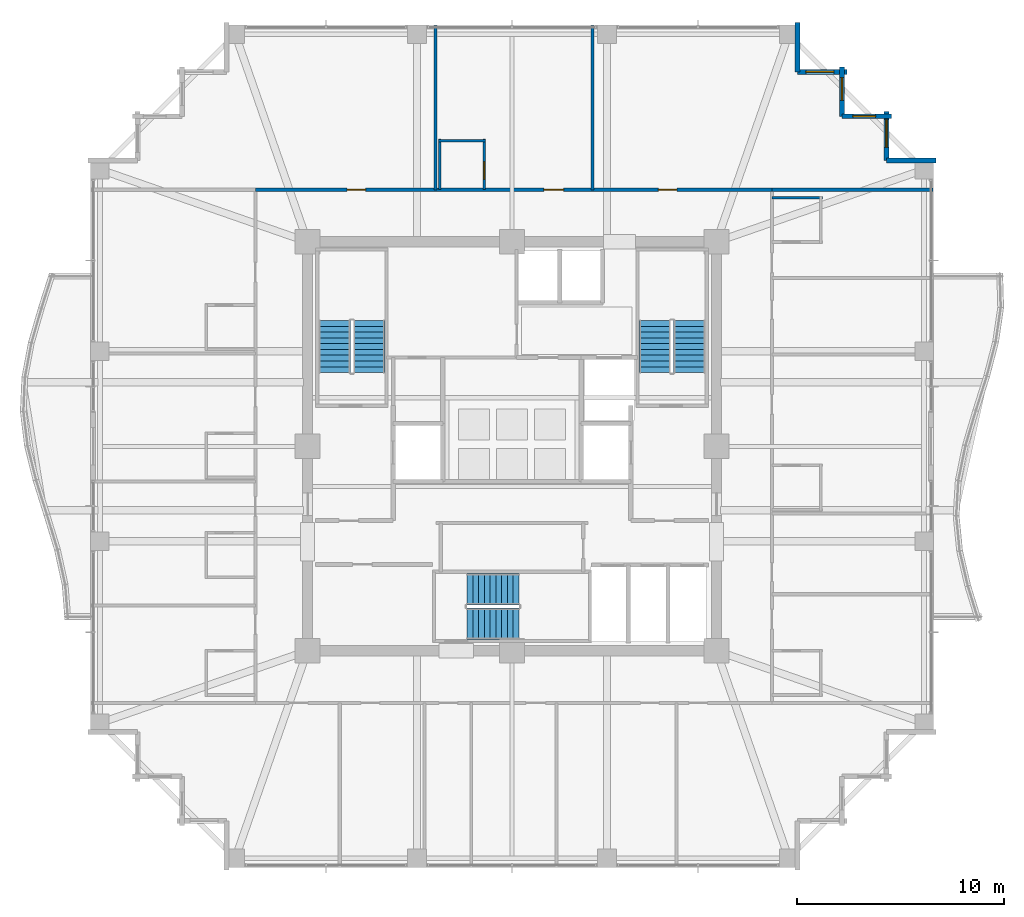
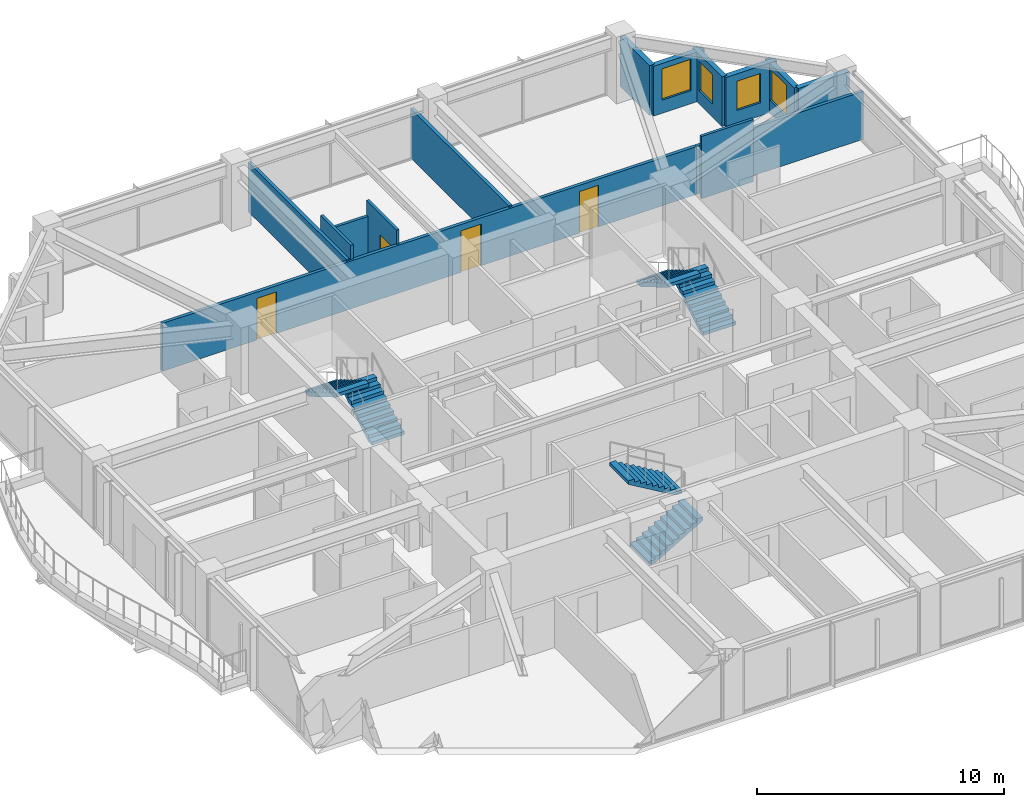
# One storey, part 32 of 34: 14 walls, 6 stair flights, 4 doors, 4 windows, 8 openings, 3 elements without a shape of their own.
"""IFC4 building model written with IfcOpenShell, lengths in metres."""

from ifc_helpers import new_model, si_unit, direction, frame, frame_2d, origin, place, context, subcontext, project, spatial, polyline, rectangle, outline, extrude, material, layer, layer_set, type_object, element, fill, aggregate, save


model = new_model("IFC4")

# Units and contexts
model_context = context("Model", 3, precision=1e-05, world=origin(), true_north=direction((0.0, 1.0)))
body_context = subcontext(model_context, "Body", "Model", "MODEL_VIEW")
ifc_project = project(units=[si_unit("LENGTHUNIT", "METRE"), si_unit("AREAUNIT", "SQUARE_METRE"), si_unit("VOLUMEUNIT", "CUBIC_METRE"), si_unit("PLANEANGLEUNIT", "RADIAN"), si_unit("MASSUNIT", "GRAM", prefix="KILO")], contexts=[model_context])

# Site, building, storey
site_placement = place(None, origin())
site = spatial("IfcSite", under=ifc_project, at=site_placement, CompositionType="ELEMENT")
building_placement = place(site_placement, origin())
building = spatial("IfcBuilding", under=site, at=building_placement, Name="Kolvaren Belvedere", CompositionType="ELEMENT")
storey_placement = place(building_placement, frame((0.0, 0.0, 189.89990234375)))
storey = spatial("IfcBuildingStorey", under=building, at=storey_placement, Name="L55", CompositionType="ELEMENT", Elevation=189.89990234375)

# Wall, openings, doors
ifc_material_1 = material(Name="Gypsum fire-rated partition assembly", Category="gypsum")
ifc_layer_1 = layer(ifc_material_1, 0.14990234375)
ifc_layer_set_1 = layer_set([ifc_layer_1], Name="Gypsum fire-rated partition assembly")
wall_type_1 = type_object("IfcWallType", Name="WL-CORR-150", PredefinedType="PARTITIONING", material=ifc_layer_set_1)
wall_1_placement = place(storey_placement, frame((-12.419921875, 12.419921875, 0.0), z_axis=(0.0, 0.0, 1.0), x_axis=(1.0, 0.0, 0.0)))
wall_1 = element("IfcWall", 1, at=wall_1_placement, inside=storey, type_object=wall_type_1, Name="L55 North Corridor Wall", PredefinedType="PARTITIONING", context=body_context, shape_type="SweptSolid", body=[
    extrude(rectangle(XDim=25.0, YDim=0.14990234375, at=frame_2d((12.5, 0.0))), origin(), (0.0, 0.0, 1.0), 2.369140625),
])
opening_1_placement = place(wall_1_placement, frame((4.43505859375, 0.0, 0.0)))
opening_1 = element("IfcOpeningElement", 2, at=opening_1_placement, cuts=wall_1, Name="Opening D-INT90", PredefinedType="OPENING", context=body_context, shape_type="SweptSolid", body=[
    extrude(rectangle(XDim=0.89990234375, YDim=2.06005859375, at=frame_2d((0.449951171875, 1.030029296875))), frame((0.0, 0.0849609375, 0.0), z_axis=(0.0, -1.0, 0.0), x_axis=(1.0, 0.0, 0.0)), (0.0, 0.0, 1.0), 0.169921875),
])
opening_2_placement = place(wall_1_placement, frame((13.968017578125, 0.0, 0.0)))
opening_2 = element("IfcOpeningElement", 3, at=opening_2_placement, cuts=wall_1, Name="Opening D-FD60", PredefinedType="OPENING", context=body_context, shape_type="SweptSolid", body=[
    extrude(rectangle(XDim=0.949951171875, YDim=2.06005859375, at=frame_2d((0.47509765625, 1.030029296875))), frame((0.0, 0.0849609375, 0.0), z_axis=(0.0, -1.0, 0.0), x_axis=(1.0, 0.0, 0.0)), (0.0, 0.0, 1.0), 0.169921875),
])
opening_3_placement = place(wall_1_placement, frame((19.5048828125, 0.0, 0.0)))
opening_3 = element("IfcOpeningElement", 4, at=opening_3_placement, cuts=wall_1, Name="Opening D-INT90", PredefinedType="OPENING", context=body_context, shape_type="SweptSolid", body=[
    extrude(rectangle(XDim=0.89990234375, YDim=2.06005859375, at=frame_2d((0.449951171875, 1.030029296875))), frame((0.0, 0.0849609375, 0.0), z_axis=(0.0, -1.0, 0.0), x_axis=(1.0, 0.0, 0.0)), (0.0, 0.0, 1.0), 0.169921875),
])
ifc_material_2 = material(Name="Acoustic white-oak fire door leaf", Category="timber")
door_type_1 = type_object("IfcDoorType", Name="DR-FD60-950", OperationType="NOTDEFINED", PredefinedType="DOOR", material=ifc_material_2)
door_1_placement = place(opening_2_placement, origin())
door_1 = element("IfcDoor", 5, at=door_1_placement, inside=storey, type_object=door_type_1, Name="L55 Twin Guest Room 5515 Entry Door", OperationType="SINGLE_SWING_LEFT", OverallHeight=2.06005859375, OverallWidth=0.949951171875, PredefinedType="DOOR", context=body_context, shape_type="SweptSolid", body=[
    extrude(rectangle(XDim=0.949951171875, YDim=2.06005859375, at=frame_2d((0.47509765625, 1.030029296875))), frame((0.0, 0.02490234375, 0.0), z_axis=(0.0, -1.0, 0.0), x_axis=(1.0, 0.0, 0.0)), (0.0, 0.0, 1.0), 0.050048828125),
])
fill(opening_2, door_1)
ifc_material_3 = material(Name="Stained Pacific white oak", Category="timber")
door_type_2 = type_object("IfcDoorType", Name="DR-INT-900", OperationType="NOTDEFINED", PredefinedType="DOOR", material=ifc_material_3)
door_2_placement = place(opening_1_placement, origin())
door_2 = element("IfcDoor", 6, at=door_2_placement, inside=storey, type_object=door_type_2, Name="L55 Lounge 5514 Door", OperationType="SINGLE_SWING_LEFT", OverallHeight=2.06005859375, OverallWidth=0.89990234375, PredefinedType="DOOR", context=body_context, shape_type="SweptSolid", body=[
    extrude(rectangle(XDim=0.89990234375, YDim=2.06005859375, at=frame_2d((0.449951171875, 1.030029296875))), frame((0.0, 0.02490234375, 0.0), z_axis=(0.0, -1.0, 0.0), x_axis=(1.0, 0.0, 0.0)), (0.0, 0.0, 1.0), 0.050048828125),
])
fill(opening_1, door_2)
door_3_placement = place(opening_3_placement, origin())
door_3 = element("IfcDoor", 7, at=door_3_placement, inside=storey, type_object=door_type_2, Name="L55 Lounge 5516 Door", OperationType="SINGLE_SWING_RIGHT", OverallHeight=2.06005859375, OverallWidth=0.89990234375, PredefinedType="DOOR", context=body_context, shape_type="SweptSolid", body=[
    extrude(rectangle(XDim=0.89990234375, YDim=2.06005859375, at=frame_2d((0.449951171875, 1.030029296875))), frame((0.0, 0.02490234375, 0.0), z_axis=(0.0, -1.0, 0.0), x_axis=(1.0, 0.0, 0.0)), (0.0, 0.0, 1.0), 0.050048828125),
])
fill(opening_3, door_3)

# Wall
ifc_material_4 = material(Name="Insulated pale-metal facade wall assembly", Category="aluminium")
ifc_layer_2 = layer(ifc_material_4, 0.239990234375)
ifc_layer_set_2 = layer_set([ifc_layer_2], Name="Insulated pale-metal facade wall assembly")
wall_type_2 = type_object("IfcWallType", Name="WL-EXT-240", PredefinedType="STANDARD", material=ifc_layer_set_2)
wall_2_placement = place(storey_placement, frame((18.1298828125, 13.830078125, 0.0), z_axis=(0.0, 0.0, 1.0), x_axis=(1.0, 0.0, 0.0)))
element("IfcWall", 8, at=wall_2_placement, inside=storey, type_object=wall_type_2, Name="L55 Serrated Corner Facade Wall 9", PredefinedType="STANDARD", context=body_context, shape_type="SweptSolid", body=[
    extrude(rectangle(XDim=2.39013671875, YDim=0.239990234375, at=frame_2d((1.195068359375, 0.0))), origin(), (0.0, 0.0, 1.0), 2.463134765625),
])

# Wall, opening, window
wall_3_placement = place(storey_placement, frame((18.1298828125, 16.219970703125, 0.0), z_axis=(0.0, 0.0, 1.0), x_axis=(0.0, -1.0, 0.0)))
wall_3 = element("IfcWall", 9, at=wall_3_placement, inside=storey, type_object=wall_type_2, Name="L55 Serrated Corner Facade Wall 10", PredefinedType="STANDARD", context=body_context, shape_type="SweptSolid", body=[
    extrude(rectangle(XDim=2.389892578125, YDim=0.239990234375, at=frame_2d((1.19482421875, 0.0))), origin(), (0.0, 0.0, 1.0), 2.463134765625),
])
opening_4_placement = place(wall_3_placement, frame((0.39990234375, 0.0, 0.64990234375)))
opening_4 = element("IfcOpeningElement", 10, at=opening_4_placement, cuts=wall_3, Name="Opening W-1350", PredefinedType="OPENING", context=body_context, shape_type="SweptSolid", body=[
    extrude(rectangle(XDim=1.35009765625, YDim=1.550048828125, at=frame_2d((0.675048828125, 0.77490234375))), frame((0.0, 0.1298828125, 0.0), z_axis=(0.0, -1.0, 0.0), x_axis=(1.0, 0.0, 0.0)), (0.0, 0.0, 1.0), 0.260009765625),
])
ifc_material_5 = material(Name="Low-iron triple insulated glass", Category="glass")
window_type_1 = type_object("IfcWindowType", Name="WN-CORN-1350", PartitioningType="SINGLE_PANEL", PredefinedType="WINDOW", material=ifc_material_5)
window_1_placement = place(opening_4_placement, origin())
window_1 = element("IfcWindow", 11, at=window_1_placement, inside=storey, type_object=window_type_1, Name="L55 Serrated Corner Vision Window 10", OverallHeight=1.550048828125, OverallWidth=1.35009765625, PartitioningType="SINGLE_PANEL", PredefinedType="WINDOW", context=body_context, shape_type="SweptSolid", body=[
    extrude(rectangle(XDim=1.35009765625, YDim=1.550048828125, at=frame_2d((0.675048828125, 0.77490234375))), frame((0.0, 0.030029296875, 0.0), z_axis=(0.0, -1.0, 0.0), x_axis=(1.0, 0.0, 0.0)), (0.0, 0.0, 1.0), 0.06005859375),
])
fill(opening_4, window_1)

wall_4_placement = place(storey_placement, frame((15.97998046875, 15.97998046875, 0.0), z_axis=(0.0, 0.0, 1.0), x_axis=(1.0, 0.0, 0.0)))
wall_4 = element("IfcWall", 12, at=wall_4_placement, inside=storey, type_object=wall_type_2, Name="L55 Serrated Corner Facade Wall 11", PredefinedType="STANDARD", context=body_context, shape_type="SweptSolid", body=[
    extrude(rectangle(XDim=2.39013671875, YDim=0.239990234375, at=frame_2d((1.195068359375, 0.0))), origin(), (0.0, 0.0, 1.0), 2.463134765625),
])
opening_5_placement = place(wall_4_placement, frame((0.52490234375, 0.0, 0.64990234375)))
opening_5 = element("IfcOpeningElement", 13, at=opening_5_placement, cuts=wall_4, Name="Opening W-1100", PredefinedType="OPENING", context=body_context, shape_type="SweptSolid", body=[
    extrude(rectangle(XDim=1.10009765625, YDim=1.449951171875, at=frame_2d((0.550048828125, 0.72509765625))), frame((0.0, 0.1298828125, 0.0), z_axis=(0.0, -1.0, 0.0), x_axis=(1.0, 0.0, 0.0)), (0.0, 0.0, 1.0), 0.260009765625),
])
ifc_material_6 = material(Name="Low-iron triple insulated glass", Category="glass")
window_type_2 = type_object("IfcWindowType", Name="WN-CORN-1100", PartitioningType="SINGLE_PANEL", PredefinedType="WINDOW", material=ifc_material_6)
window_2_placement = place(opening_5_placement, origin())
window_2 = element("IfcWindow", 14, at=window_2_placement, inside=storey, type_object=window_type_2, Name="L55 Serrated Corner Vision Window 11", OverallHeight=1.449951171875, OverallWidth=1.10009765625, PartitioningType="SINGLE_PANEL", PredefinedType="WINDOW", context=body_context, shape_type="SweptSolid", body=[
    extrude(rectangle(XDim=1.10009765625, YDim=1.449951171875, at=frame_2d((0.550048828125, 0.72509765625))), frame((0.0, 0.030029296875, 0.0), z_axis=(0.0, -1.0, 0.0), x_axis=(1.0, 0.0, 0.0)), (0.0, 0.0, 1.0), 0.06005859375),
])
fill(opening_5, window_2)

wall_5_placement = place(storey_placement, frame((15.97998046875, 18.3701171875, 0.0), z_axis=(0.0, 0.0, 1.0), x_axis=(0.0, -1.0, 0.0)))
wall_5 = element("IfcWall", 15, at=wall_5_placement, inside=storey, type_object=wall_type_2, Name="L55 Serrated Corner Facade Wall 12", PredefinedType="STANDARD", context=body_context, shape_type="SweptSolid", body=[
    extrude(rectangle(XDim=2.39013671875, YDim=0.239990234375, at=frame_2d((1.195068359375, 0.0))), origin(), (0.0, 0.0, 1.0), 2.463134765625),
])
opening_6_placement = place(wall_5_placement, frame((0.52490234375, 0.0, 0.64990234375)))
opening_6 = element("IfcOpeningElement", 16, at=opening_6_placement, cuts=wall_5, Name="Opening W-1100", PredefinedType="OPENING", context=body_context, shape_type="SweptSolid", body=[
    extrude(rectangle(XDim=1.10009765625, YDim=1.449951171875, at=frame_2d((0.550048828125, 0.72509765625))), frame((0.0, 0.1298828125, 0.0), z_axis=(0.0, -1.0, 0.0), x_axis=(1.0, 0.0, 0.0)), (0.0, 0.0, 1.0), 0.260009765625),
])
window_3_placement = place(opening_6_placement, origin())
window_3 = element("IfcWindow", 17, at=window_3_placement, inside=storey, type_object=window_type_2, Name="L55 Serrated Corner Vision Window 12", OverallHeight=1.449951171875, OverallWidth=1.10009765625, PartitioningType="SINGLE_PANEL", PredefinedType="WINDOW", context=body_context, shape_type="SweptSolid", body=[
    extrude(rectangle(XDim=1.10009765625, YDim=1.449951171875, at=frame_2d((0.550048828125, 0.72509765625))), frame((0.0, 0.030029296875, 0.0), z_axis=(0.0, -1.0, 0.0), x_axis=(1.0, 0.0, 0.0)), (0.0, 0.0, 1.0), 0.06005859375),
])
fill(opening_6, window_3)

wall_6_placement = place(storey_placement, frame((13.830078125, 18.1298828125, 0.0), z_axis=(0.0, 0.0, 1.0), x_axis=(1.0, 0.0, 0.0)))
wall_6 = element("IfcWall", 18, at=wall_6_placement, inside=storey, type_object=wall_type_2, Name="L55 Serrated Corner Facade Wall 13", PredefinedType="STANDARD", context=body_context, shape_type="SweptSolid", body=[
    extrude(rectangle(XDim=2.389892578125, YDim=0.239990234375, at=frame_2d((1.19482421875, 0.0))), origin(), (0.0, 0.0, 1.0), 2.463134765625),
])
opening_7_placement = place(wall_6_placement, frame((0.39990234375, 0.0, 0.64990234375)))
opening_7 = element("IfcOpeningElement", 19, at=opening_7_placement, cuts=wall_6, Name="Opening W-1350", PredefinedType="OPENING", context=body_context, shape_type="SweptSolid", body=[
    extrude(rectangle(XDim=1.35009765625, YDim=1.550048828125, at=frame_2d((0.675048828125, 0.77490234375))), frame((0.0, 0.1298828125, 0.0), z_axis=(0.0, -1.0, 0.0), x_axis=(1.0, 0.0, 0.0)), (0.0, 0.0, 1.0), 0.260009765625),
])
window_4_placement = place(opening_7_placement, origin())
window_4 = element("IfcWindow", 20, at=window_4_placement, inside=storey, type_object=window_type_1, Name="L55 Serrated Corner Vision Window 13", OverallHeight=1.550048828125, OverallWidth=1.35009765625, PartitioningType="SINGLE_PANEL", PredefinedType="WINDOW", context=body_context, shape_type="SweptSolid", body=[
    extrude(rectangle(XDim=1.35009765625, YDim=1.550048828125, at=frame_2d((0.675048828125, 0.77490234375))), frame((0.0, 0.030029296875, 0.0), z_axis=(0.0, -1.0, 0.0), x_axis=(1.0, 0.0, 0.0)), (0.0, 0.0, 1.0), 0.06005859375),
])
fill(opening_7, window_4)

# Walls
wall_7_placement = place(storey_placement, frame((13.830078125, 20.52001953125, 0.0), z_axis=(0.0, 0.0, 1.0), x_axis=(0.0, -1.0, 0.0)))
element("IfcWall", 21, at=wall_7_placement, inside=storey, type_object=wall_type_2, Name="L55 Serrated Corner Facade Wall 14", PredefinedType="STANDARD", context=body_context, shape_type="SweptSolid", body=[
    extrude(rectangle(XDim=2.39013671875, YDim=0.239990234375, at=frame_2d((1.195068359375, 0.0))), origin(), (0.0, 0.0, 1.0), 2.463134765625),
])
ifc_material_7 = material(Name="Gypsum acoustic partition assembly", Category="gypsum")
ifc_layer_3 = layer(ifc_material_7, 0.14990234375)
ifc_layer_set_3 = layer_set([ifc_layer_3], Name="Gypsum acoustic partition assembly")
wall_type_3 = type_object("IfcWallType", Name="WL-PART-150", PredefinedType="PARTITIONING", material=ifc_layer_set_3)
wall_8_placement = place(storey_placement, frame((12.580078125, 12.419921875, 0.0), z_axis=(0.0, 0.0, 1.0), x_axis=(1.0, 0.0, 0.0)))
element("IfcWall", 22, at=wall_8_placement, inside=storey, type_object=wall_type_3, Name="L55 Wing Divider PW-L55-QNE", PredefinedType="PARTITIONING", context=body_context, shape_type="SweptSolid", body=[
    extrude(rectangle(XDim=7.7998046875, YDim=0.14990234375, at=frame_2d((3.89990234375, 0.0))), origin(), (0.0, 0.0, 1.0), 2.369140625),
])
for number, where, z_axis, x_axis, name in (
    (23, (-3.696044921875, 12.419921875, 0.0), (0.0, 0.0, 1.0), (0.0, 1.0, 0.0), "L55 North Suite Demising Wall 1"),
    (24, (3.904052734375, 12.419921875, 0.0), (0.0, 0.0, 1.0), (0.0, 1.0, 0.0), "L55 North Suite Demising Wall 2"),
):
    element("IfcWall", number, at=place(storey_placement, frame(where, z_axis=z_axis, x_axis=x_axis)), inside=storey, type_object=wall_type_3, Name=name, PredefinedType="PARTITIONING", context=body_context, shape_type="SweptSolid", body=[
        extrude(rectangle(XDim=7.9599609375, YDim=0.14990234375, at=frame_2d((3.97998046875, 0.0))), origin(), (0.0, 0.0, 1.0), 2.453125),
    ])
ifc_material_8 = material(Name="Moisture-resistant gypsum partition", Category="gypsum")
ifc_layer_4 = layer(ifc_material_8, 0.125)
ifc_layer_set_4 = layer_set([ifc_layer_4], Name="Moisture-resistant gypsum partition")
wall_type_4 = type_object("IfcWallType", Name="WL-WET-125", PredefinedType="PARTITIONING", material=ifc_layer_set_4)
wall_9_placement = place(storey_placement, frame((12.594970703125, 12.041015625, 0.0), z_axis=(0.0, 0.0, 1.0), x_axis=(1.0, 0.0, 0.0)))
element("IfcWall", 25, at=wall_9_placement, inside=storey, type_object=wall_type_4, Name="L55 Bathroom Partition PW-L55-BTH-9-S", PredefinedType="PARTITIONING", context=body_context, shape_type="SweptSolid", body=[
    extrude(rectangle(XDim=2.43994140625, YDim=0.125, at=frame_2d((1.219970703125, 0.0))), origin(), (0.0, 0.0, 1.0), 3.080078125),
])

# Wall, opening, door
wall_10_placement = place(storey_placement, frame((-1.35107421875, 12.43505859375, 0.0), z_axis=(0.0, 0.0, 1.0), x_axis=(0.0, 1.0, 0.0)))
wall_10 = element("IfcWall", 26, at=wall_10_placement, inside=storey, type_object=wall_type_4, Name="L55 Bathroom Partition PW-L55-BTH-15-E", PredefinedType="PARTITIONING", context=body_context, shape_type="SweptSolid", body=[
    extrude(rectangle(XDim=2.43994140625, YDim=0.125, at=frame_2d((1.219970703125, 0.0))), origin(), (0.0, 0.0, 1.0), 3.080078125),
])
opening_8_placement = place(wall_10_placement, frame((0.5, 0.0, 0.0)))
opening_8 = element("IfcOpeningElement", 27, at=opening_8_placement, cuts=wall_10, Name="Opening D-BTH85", PredefinedType="OPENING", context=body_context, shape_type="SweptSolid", body=[
    extrude(rectangle(XDim=0.85009765625, YDim=2.030029296875, at=frame_2d((0.425048828125, 1.01513671875))), frame((0.0, 0.072509765625, 0.0), z_axis=(0.0, -1.0, 0.0), x_axis=(1.0, 0.0, 0.0)), (0.0, 0.0, 1.0), 0.14501953125),
])
ifc_material_9 = material(Name="Moisture-sealed Pacific white oak", Category="timber")
door_type_3 = type_object("IfcDoorType", Name="DR-BATH-850", OperationType="NOTDEFINED", PredefinedType="DOOR", material=ifc_material_9)
door_4_placement = place(opening_8_placement, origin())
door_4 = element("IfcDoor", 28, at=door_4_placement, inside=storey, type_object=door_type_3, Name="L55 En-Suite Bathroom 5515 Door", OperationType="SINGLE_SWING_RIGHT", OverallHeight=2.030029296875, OverallWidth=0.85009765625, PredefinedType="DOOR", context=body_context, shape_type="SweptSolid", body=[
    extrude(rectangle(XDim=0.85009765625, YDim=2.030029296875, at=frame_2d((0.425048828125, 1.01513671875))), frame((0.0, 0.02490234375, 0.0), z_axis=(0.0, -1.0, 0.0), x_axis=(1.0, 0.0, 0.0)), (0.0, 0.0, 1.0), 0.050048828125),
])
fill(opening_8, door_4)

# Walls
wall_11_placement = place(storey_placement, frame((-3.56103515625, 14.794921875, 0.0), z_axis=(0.0, 0.0, 1.0), x_axis=(1.0, 0.0, 0.0)))
element("IfcWall", 29, at=wall_11_placement, inside=storey, type_object=wall_type_4, Name="L55 Bathroom Partition PW-L55-BTH-15-H", PredefinedType="PARTITIONING", context=body_context, shape_type="SweptSolid", body=[
    extrude(rectangle(XDim=2.27001953125, YDim=0.125, at=frame_2d((1.135009765625, 0.0))), origin(), (0.0, 0.0, 1.0), 2.369140625),
])
wall_12_placement = place(storey_placement, frame((-3.5009765625, 12.43505859375, 0.0), z_axis=(0.0, 0.0, 1.0), x_axis=(0.0, 1.0, 0.0)))
element("IfcWall", 30, at=wall_12_placement, inside=storey, type_object=wall_type_4, Name="L55 Bathroom Partition PW-L55-BTH-15-W", PredefinedType="PARTITIONING", context=body_context, shape_type="SweptSolid", body=[
    extrude(rectangle(XDim=2.43994140625, YDim=0.125, at=frame_2d((1.219970703125, 0.0))), origin(), (0.0, 0.0, 1.0), 3.080078125),
])

# Stair, stair flights
ifc_material_10 = material(Name="Concrete C50/60", Category="concrete")
stair_type = type_object("IfcStairType", Name="ST-CORE-1520", PredefinedType="HALF_TURN_STAIR", material=ifc_material_10)
stair_1_placement = place(storey_placement, origin())
stair_1 = element("IfcStair", 31, at=stair_1_placement, inside=storey, type_object=stair_type, Name="L55 Protected Exit Stair ST-1", PredefinedType="HALF_TURN_STAIR")
ifc_material_11 = material(Name="Concrete C50/60", Category="concrete")
stair_flight_type = type_object("IfcStairFlightType", Name="SF-STR-1520", PredefinedType="STRAIGHT", material=ifc_material_11)
stair_flight_1_placement = place(storey_placement, frame((-6.919921875, 3.570068359375, 0.0), z_axis=(0.0, 0.0, 1.0), x_axis=(0.0, 1.0, 0.0)))
stair_flight_1 = element("IfcStairFlight", 32, at=stair_flight_1_placement, type_object=stair_flight_type, Name="ST-1 flight 1", NumberOfRisers=10, NumberOfTreads=9, PredefinedType="STRAIGHT", RiserHeight=0.165, TreadLength=0.28, context=body_context, shape_type="SweptSolid", body=[
    extrude(outline(polyline([(0.0, 0.0), (0.0, 0.1650390625), (0.280029296875, 0.1650390625), (0.280029296875, 0.330078125), (0.56005859375, 0.330078125), (0.56005859375, 0.4951171875), (0.840087890625, 0.4951171875), (0.840087890625, 0.659912109375), (1.1201171875, 0.659912109375), (1.1201171875, 0.824951171875), (1.39990234375, 0.824951171875), (1.39990234375, 0.989990234375), (1.679931640625, 0.989990234375), (1.679931640625, 1.155029296875), (1.9599609375, 1.155029296875), (1.9599609375, 1.320068359375), (2.239990234375, 1.320068359375), (2.239990234375, 1.485107421875), (2.52001953125, 1.485107421875), (2.52001953125, 1.64990234375), (2.52001953125, 1.31103515625), (0.295166015625, 0.0), (0.0, 0.0)])), frame((0.0, 0.760009765625, 0.0), z_axis=(0.0, -1.0, 0.0), x_axis=(1.0, 0.0, 0.0)), (0.0, 0.0, 1.0), 1.52001953125),
])
stair_flight_2_placement = place(storey_placement, frame((-8.590087890625, 6.090087890625, 1.650146484375), z_axis=(0.0, 0.0, 1.0), x_axis=(0.0, -1.0, 0.0)))
stair_flight_2 = element("IfcStairFlight", 33, at=stair_flight_2_placement, type_object=stair_flight_type, Name="ST-1 flight 2", NumberOfRisers=10, NumberOfTreads=9, PredefinedType="STRAIGHT", RiserHeight=0.165, TreadLength=0.28, context=body_context, shape_type="SweptSolid", body=[
    extrude(outline(polyline([(0.0, 0.0), (0.0, 0.1650390625), (0.280029296875, 0.1650390625), (0.280029296875, 0.330078125), (0.56005859375, 0.330078125), (0.56005859375, 0.4951171875), (0.840087890625, 0.4951171875), (0.840087890625, 0.659912109375), (1.1201171875, 0.659912109375), (1.1201171875, 0.824951171875), (1.39990234375, 0.824951171875), (1.39990234375, 0.989990234375), (1.679931640625, 0.989990234375), (1.679931640625, 1.155029296875), (1.9599609375, 1.155029296875), (1.9599609375, 1.320068359375), (2.239990234375, 1.320068359375), (2.239990234375, 1.485107421875), (2.52001953125, 1.485107421875), (2.52001953125, 1.64990234375), (2.52001953125, 1.31103515625), (0.295166015625, 0.0), (0.0, 0.0)])), frame((0.0, 0.760009765625, 0.0), z_axis=(0.0, -1.0, 0.0), x_axis=(1.0, 0.0, 0.0)), (0.0, 0.0, 1.0), 1.52001953125),
])
aggregate(stair_1, [stair_flight_1, stair_flight_2])

stair_2_placement = place(storey_placement, origin())
stair_2 = element("IfcStair", 34, at=stair_2_placement, inside=storey, type_object=stair_type, Name="L55 Protected Exit Stair ST-2", PredefinedType="HALF_TURN_STAIR")
stair_flight_3_placement = place(storey_placement, frame((8.590087890625, 3.570068359375, 0.0), z_axis=(0.0, 0.0, 1.0), x_axis=(0.0, 1.0, 0.0)))
stair_flight_3 = element("IfcStairFlight", 35, at=stair_flight_3_placement, type_object=stair_flight_type, Name="ST-2 flight 1", NumberOfRisers=10, NumberOfTreads=9, PredefinedType="STRAIGHT", RiserHeight=0.165, TreadLength=0.28, context=body_context, shape_type="SweptSolid", body=[
    extrude(outline(polyline([(0.0, 0.0), (0.0, 0.1650390625), (0.280029296875, 0.1650390625), (0.280029296875, 0.330078125), (0.56005859375, 0.330078125), (0.56005859375, 0.4951171875), (0.840087890625, 0.4951171875), (0.840087890625, 0.659912109375), (1.1201171875, 0.659912109375), (1.1201171875, 0.824951171875), (1.39990234375, 0.824951171875), (1.39990234375, 0.989990234375), (1.679931640625, 0.989990234375), (1.679931640625, 1.155029296875), (1.9599609375, 1.155029296875), (1.9599609375, 1.320068359375), (2.239990234375, 1.320068359375), (2.239990234375, 1.485107421875), (2.52001953125, 1.485107421875), (2.52001953125, 1.64990234375), (2.52001953125, 1.31103515625), (0.295166015625, 0.0), (0.0, 0.0)])), frame((0.0, 0.760009765625, 0.0), z_axis=(0.0, -1.0, 0.0), x_axis=(1.0, 0.0, 0.0)), (0.0, 0.0, 1.0), 1.52001953125),
])
stair_flight_4_placement = place(storey_placement, frame((6.919921875, 6.090087890625, 1.650146484375), z_axis=(0.0, 0.0, 1.0), x_axis=(0.0, -1.0, 0.0)))
stair_flight_4 = element("IfcStairFlight", 36, at=stair_flight_4_placement, type_object=stair_flight_type, Name="ST-2 flight 2", NumberOfRisers=10, NumberOfTreads=9, PredefinedType="STRAIGHT", RiserHeight=0.165, TreadLength=0.28, context=body_context, shape_type="SweptSolid", body=[
    extrude(outline(polyline([(0.0, 0.0), (0.0, 0.1650390625), (0.280029296875, 0.1650390625), (0.280029296875, 0.330078125), (0.56005859375, 0.330078125), (0.56005859375, 0.4951171875), (0.840087890625, 0.4951171875), (0.840087890625, 0.659912109375), (1.1201171875, 0.659912109375), (1.1201171875, 0.824951171875), (1.39990234375, 0.824951171875), (1.39990234375, 0.989990234375), (1.679931640625, 0.989990234375), (1.679931640625, 1.155029296875), (1.9599609375, 1.155029296875), (1.9599609375, 1.320068359375), (2.239990234375, 1.320068359375), (2.239990234375, 1.485107421875), (2.52001953125, 1.485107421875), (2.52001953125, 1.64990234375), (2.52001953125, 1.31103515625), (0.295166015625, 0.0), (0.0, 0.0)])), frame((0.0, 0.760009765625, 0.0), z_axis=(0.0, -1.0, 0.0), x_axis=(1.0, 0.0, 0.0)), (0.0, 0.0, 1.0), 1.52001953125),
])
aggregate(stair_2, [stair_flight_3, stair_flight_4])

stair_3_placement = place(storey_placement, origin())
stair_3 = element("IfcStair", 37, at=stair_3_placement, inside=storey, type_object=stair_type, Name="L55 Protected Exit Stair ST-3", PredefinedType="HALF_TURN_STAIR")
stair_flight_5_placement = place(storey_placement, frame((-2.179931640625, -8.590087890625, 0.0), z_axis=(0.0, 0.0, 1.0), x_axis=(1.0, 0.0, 0.0)))
stair_flight_5 = element("IfcStairFlight", 38, at=stair_flight_5_placement, type_object=stair_flight_type, Name="ST-3 flight 1", NumberOfRisers=10, NumberOfTreads=9, PredefinedType="STRAIGHT", RiserHeight=0.165, TreadLength=0.28, context=body_context, shape_type="SweptSolid", body=[
    extrude(outline(polyline([(0.0, 0.0), (0.0, 0.1650390625), (0.280029296875, 0.1650390625), (0.280029296875, 0.330078125), (0.56005859375, 0.330078125), (0.56005859375, 0.4951171875), (0.840087890625, 0.4951171875), (0.840087890625, 0.659912109375), (1.1201171875, 0.659912109375), (1.1201171875, 0.824951171875), (1.39990234375, 0.824951171875), (1.39990234375, 0.989990234375), (1.679931640625, 0.989990234375), (1.679931640625, 1.155029296875), (1.9599609375, 1.155029296875), (1.9599609375, 1.320068359375), (2.239990234375, 1.320068359375), (2.239990234375, 1.485107421875), (2.52001953125, 1.485107421875), (2.52001953125, 1.64990234375), (2.52001953125, 1.31103515625), (0.295166015625, 0.0), (0.0, 0.0)])), frame((0.0, 0.760009765625, 0.0), z_axis=(0.0, -1.0, 0.0), x_axis=(1.0, 0.0, 0.0)), (0.0, 0.0, 1.0), 1.52001953125),
])
stair_flight_6_placement = place(storey_placement, frame((0.340087890625, -6.919921875, 1.650146484375), z_axis=(0.0, 0.0, 1.0), x_axis=(-1.0, 0.0, 0.0)))
stair_flight_6 = element("IfcStairFlight", 39, at=stair_flight_6_placement, type_object=stair_flight_type, Name="ST-3 flight 2", NumberOfRisers=10, NumberOfTreads=9, PredefinedType="STRAIGHT", RiserHeight=0.165, TreadLength=0.28, context=body_context, shape_type="SweptSolid", body=[
    extrude(outline(polyline([(0.0, 0.0), (0.0, 0.1650390625), (0.280029296875, 0.1650390625), (0.280029296875, 0.330078125), (0.56005859375, 0.330078125), (0.56005859375, 0.4951171875), (0.840087890625, 0.4951171875), (0.840087890625, 0.659912109375), (1.1201171875, 0.659912109375), (1.1201171875, 0.824951171875), (1.39990234375, 0.824951171875), (1.39990234375, 0.989990234375), (1.679931640625, 0.989990234375), (1.679931640625, 1.155029296875), (1.9599609375, 1.155029296875), (1.9599609375, 1.320068359375), (2.239990234375, 1.320068359375), (2.239990234375, 1.485107421875), (2.52001953125, 1.485107421875), (2.52001953125, 1.64990234375), (2.52001953125, 1.31103515625), (0.295166015625, 0.0), (0.0, 0.0)])), frame((0.0, 0.760009765625, 0.0), z_axis=(0.0, -1.0, 0.0), x_axis=(1.0, 0.0, 0.0)), (0.0, 0.0, 1.0), 1.52001953125),
])
aggregate(stair_3, [stair_flight_5, stair_flight_6])

save(model, "model.ifc")
